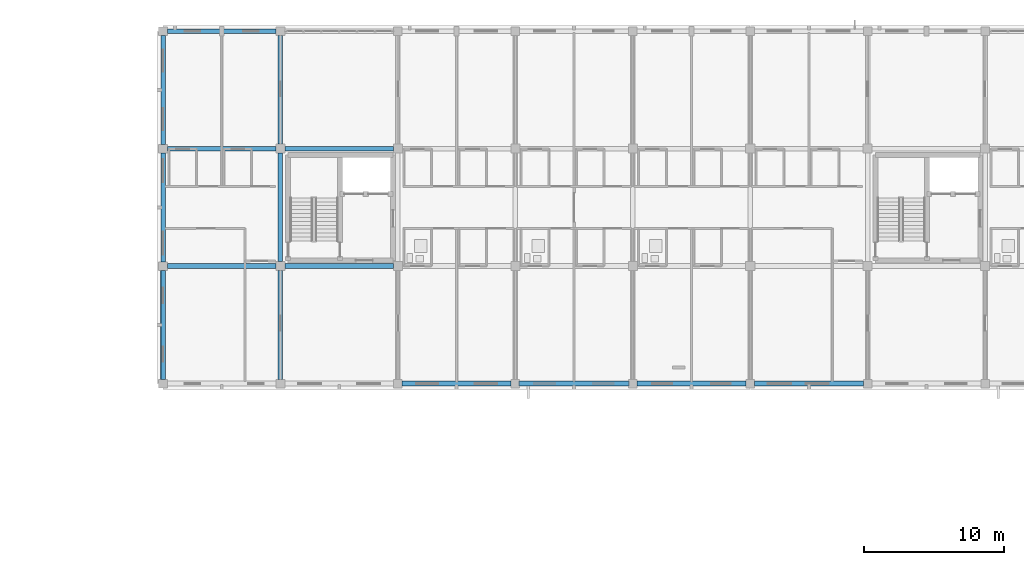
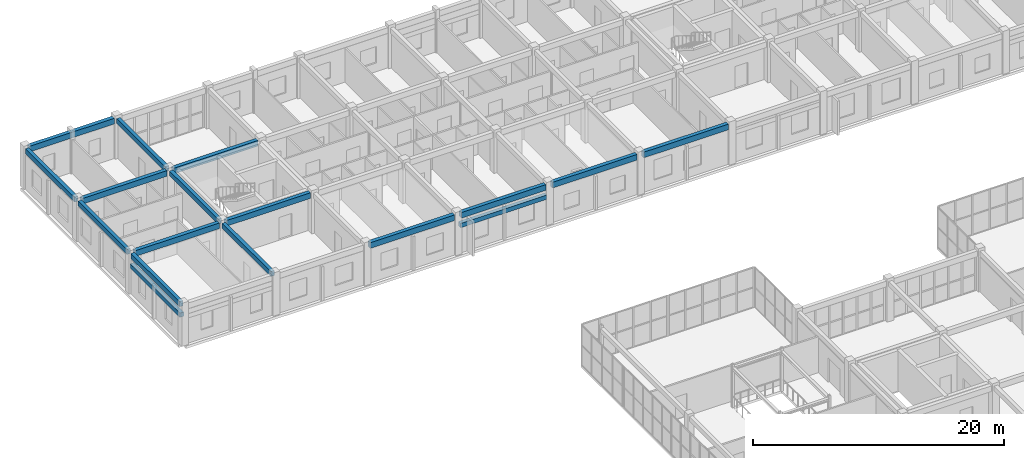
# One storey, part 39 of 81: 17 beams.
"""IFC4 building model written with IfcOpenShell, lengths in metres."""

from ifc_helpers import new_model, si_unit, direction, frame, origin, origin_2d, place, context, subcontext, project, spatial, rectangle, extrude, material, material_profile, profile_set, type_object, element, save


model = new_model("IFC4")

# Units and contexts
model_context = context("Model", 3, precision=1e-05, world=origin(), true_north=direction((0.0, 1.0)))
body_context = subcontext(model_context, "Body", "Model", "MODEL_VIEW")
ifc_project = project(units=[si_unit("LENGTHUNIT", "METRE"), si_unit("AREAUNIT", "SQUARE_METRE"), si_unit("VOLUMEUNIT", "CUBIC_METRE"), si_unit("PLANEANGLEUNIT", "RADIAN"), si_unit("MASSUNIT", "GRAM", prefix="KILO")], contexts=[model_context])

# Site, building, storey
site_placement = place(None, origin())
site = spatial("IfcSite", under=ifc_project, at=site_placement, CompositionType="ELEMENT")
building_placement = place(site_placement, origin())
building = spatial("IfcBuilding", under=site, at=building_placement, Name="Trelvath General Hospital", CompositionType="ELEMENT")
storey_placement = place(building_placement, frame((0.0, 0.0, 24.60009765625)))
storey = spatial("IfcBuildingStorey", under=building, at=storey_placement, Name="L06", CompositionType="ELEMENT", Elevation=24.60009765625)

# Beams
ifc_material_1 = material(Name="Concrete C35/45", Category="concrete")
ifc_material_profile_1 = material_profile(ifc_material_1, rectangle(XDim=0.320068359375, YDim=0.47998046875, at=origin_2d()), Name="RCB320x480")
ifc_profile_set_1 = profile_set([ifc_material_profile_1], Name="Concrete C35/45")
beam_type_1 = type_object("IfcBeamType", Name="Beam RC320x480", PredefinedType="BEAM", material=ifc_profile_set_1)
for number, where, z_axis, x_axis, name in (
    (1, (33.60009765625, 92.705078125, 3.679931640625), (0.0, 1.0, 0.0), (-1.0, 0.0, 0.0), "Grid Beam BY-604L"),
    (2, (33.60009765625, 101.10498046875, 3.679931640625), (0.0, 1.0, 0.0), (-1.0, 0.0, 0.0), "Grid Beam BY-604M"),
    (3, (33.60009765625, 109.5048828125, 3.679931640625), (0.0, 1.0, 0.0), (-1.0, 0.0, 0.0), "Grid Beam BY-604N"),
):
    element("IfcBeam", number, at=place(storey_placement, frame(where, z_axis=z_axis, x_axis=x_axis)), inside=storey, type_object=beam_type_1, Name=name, PredefinedType="BEAM", context=body_context, shape_type="SweptSolid", body=[
        extrude(rectangle(XDim=0.320068359375, YDim=0.47998046875, at=origin_2d()), origin(), (0.0, 0.0, 1.0), 7.7900390625),
    ])
beam_1_placement = place(storey_placement, frame((42.0, 92.705078125, 3.679931640625), z_axis=(0.0, 1.0, 0.0), x_axis=(-1.0, 0.0, 0.0)))
element("IfcBeam", 4, at=beam_1_placement, inside=storey, type_object=beam_type_1, Name="Grid Beam BY-605L", PredefinedType="BEAM", context=body_context, shape_type="SweptSolid", body=[
    extrude(rectangle(XDim=0.320068359375, YDim=0.47998046875, at=origin_2d()), origin(), (0.0, 0.0, 1.0), 7.77490234375),
])
beam_2_placement = place(storey_placement, frame((42.0, 101.1201171875, 3.679931640625), z_axis=(0.0, 1.0, 0.0), x_axis=(-1.0, 0.0, 0.0)))
element("IfcBeam", 5, at=beam_2_placement, inside=storey, type_object=beam_type_1, Name="Grid Beam BY-605M", PredefinedType="BEAM", context=body_context, shape_type="SweptSolid", body=[
    extrude(rectangle(XDim=0.320068359375, YDim=0.47998046875, at=origin_2d()), origin(), (0.0, 0.0, 1.0), 7.759765625),
])
beam_3_placement = place(storey_placement, frame((42.0, 109.52001953125, 3.679931640625), z_axis=(0.0, 1.0, 0.0), x_axis=(-1.0, 0.0, 0.0)))
element("IfcBeam", 6, at=beam_3_placement, inside=storey, type_object=beam_type_1, Name="Grid Beam BY-605N", PredefinedType="BEAM", context=body_context, shape_type="SweptSolid", body=[
    extrude(rectangle(XDim=0.320068359375, YDim=0.47998046875, at=origin_2d()), origin(), (0.0, 0.0, 1.0), 7.77490234375),
])
ifc_material_2 = material(Name="Concrete C35/45", Category="concrete")
ifc_material_profile_2 = material_profile(ifc_material_2, rectangle(XDim=0.35009765625, YDim=0.550048828125, at=origin_2d()), Name="RCB350x550")
ifc_profile_set_2 = profile_set([ifc_material_profile_2], Name="Concrete C35/45")
beam_type_2 = type_object("IfcBeamType", Name="Beam RC350x550", PredefinedType="BEAM", material=ifc_profile_set_2)
for number, where, z_axis, x_axis, name in (
    (7, (33.905029296875, 100.800048828125, 3.64501953125), (1.0, 0.0, 0.0), (0.0, 1.0, 0.0), "Grid Beam BX-604M"),
    (8, (33.905029296875, 109.199951171875, 3.64501953125), (1.0, 0.0, 0.0), (0.0, 1.0, 0.0), "Grid Beam BX-604N"),
):
    element("IfcBeam", number, at=place(storey_placement, frame(where, z_axis=z_axis, x_axis=x_axis)), inside=storey, type_object=beam_type_2, Name=name, PredefinedType="BEAM", context=body_context, shape_type="SweptSolid", body=[
        extrude(rectangle(XDim=0.35009765625, YDim=0.550048828125, at=origin_2d()), origin(), (0.0, 0.0, 1.0), 7.77490234375),
    ])
beam_4_placement = place(storey_placement, frame((33.905029296875, 117.60009765625, 3.64501953125), z_axis=(1.0, 0.0, 0.0), x_axis=(0.0, 1.0, 0.0)))
element("IfcBeam", 9, at=beam_4_placement, inside=storey, type_object=beam_type_2, Name="Grid Beam BX-604O", PredefinedType="BEAM", context=body_context, shape_type="SweptSolid", body=[
    extrude(rectangle(XDim=0.35009765625, YDim=0.550048828125, at=origin_2d()), origin(), (0.0, 0.0, 1.0), 7.7900390625),
])
for number, where, z_axis, x_axis, name in (
    (10, (42.320068359375, 100.800048828125, 3.64501953125), (1.0, 0.0, 0.0), (0.0, 1.0, 0.0), "Grid Beam BX-605M"),
    (11, (42.320068359375, 109.199951171875, 3.64501953125), (1.0, 0.0, 0.0), (0.0, 1.0, 0.0), "Grid Beam BX-605N"),
):
    element("IfcBeam", number, at=place(storey_placement, frame(where, z_axis=z_axis, x_axis=x_axis)), inside=storey, type_object=beam_type_2, Name=name, PredefinedType="BEAM", context=body_context, shape_type="SweptSolid", body=[
        extrude(rectangle(XDim=0.35009765625, YDim=0.550048828125, at=origin_2d()), origin(), (0.0, 0.0, 1.0), 7.760009765625),
    ])
for number, where, z_axis, x_axis, name in (
    (12, (50.705078125, 92.39990234375, 3.64501953125), (1.0, 0.0, 0.0), (0.0, 1.0, 0.0), "Grid Beam BX-606L"),
    (13, (59.10498046875, 92.39990234375, 3.64501953125), (1.0, 0.0, 0.0), (0.0, 1.0, 0.0), "Grid Beam BX-607L"),
    (14, (67.5048828125, 92.39990234375, 3.64501953125), (1.0, 0.0, 0.0), (0.0, 1.0, 0.0), "Grid Beam BX-608L"),
    (15, (75.905029296875, 92.39990234375, 3.64501953125), (1.0, 0.0, 0.0), (0.0, 1.0, 0.0), "Grid Beam BX-609L"),
):
    element("IfcBeam", number, at=place(storey_placement, frame(where, z_axis=z_axis, x_axis=x_axis)), inside=storey, type_object=beam_type_2, Name=name, PredefinedType="BEAM", context=body_context, shape_type="SweptSolid", body=[
        extrude(rectangle(XDim=0.35009765625, YDim=0.550048828125, at=origin_2d()), origin(), (0.0, 0.0, 1.0), 7.7900390625),
    ])
ifc_material_3 = material(Name="Precast concrete C40/50", Category="concrete")
ifc_material_profile_3 = material_profile(ifc_material_3, rectangle(XDim=0.35009765625, YDim=0.419921875, at=origin_2d()), Name="PCL350x420")
ifc_profile_set_3 = profile_set([ifc_material_profile_3], Name="Precast concrete C40/50")
beam_type_3 = type_object("IfcBeamType", Name="Lintel PC350x420", PredefinedType="LINTEL", material=ifc_profile_set_3)
beam_5_placement = place(storey_placement, frame((33.60009765625, 92.625, 2.669921875), z_axis=(0.0, 1.0, 0.0), x_axis=(-1.0, 0.0, 0.0)))
element("IfcBeam", 16, at=beam_5_placement, inside=storey, type_object=beam_type_3, Name="Precast Window Brow Lintel L06-556", PredefinedType="LINTEL", context=body_context, shape_type="SweptSolid", body=[
    extrude(rectangle(XDim=0.35009765625, YDim=0.419921875, at=origin_2d()), origin(), (0.0, 0.0, 1.0), 7.949951171875),
])
beam_6_placement = place(storey_placement, frame((66.97509765625, 92.39990234375, 2.669921875), z_axis=(-1.0, 0.0, 0.0), x_axis=(0.0, -1.0, 0.0)))
element("IfcBeam", 17, at=beam_6_placement, inside=storey, type_object=beam_type_3, Name="Precast Window Brow Lintel L06-568", PredefinedType="LINTEL", context=body_context, shape_type="SweptSolid", body=[
    extrude(rectangle(XDim=0.35009765625, YDim=0.419921875, at=origin_2d()), origin(), (0.0, 0.0, 1.0), 7.9501953125),
])

save(model, "model.ifc")
